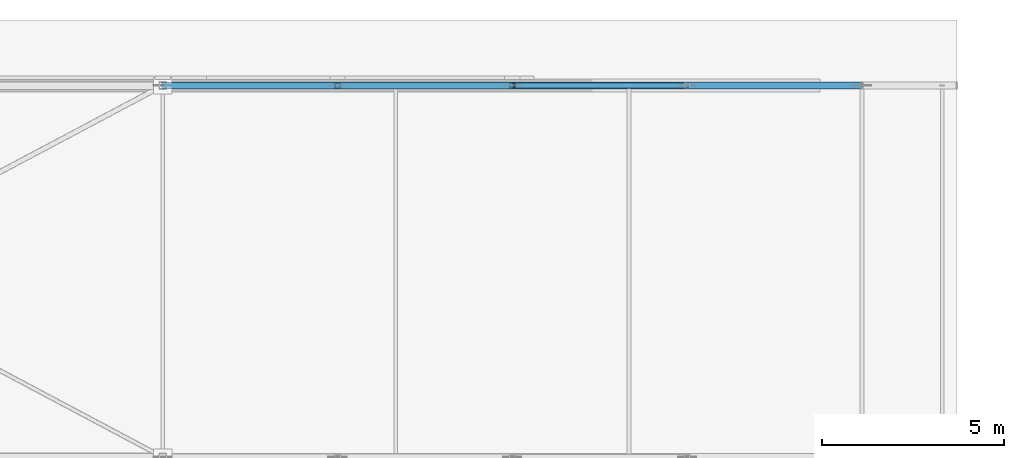
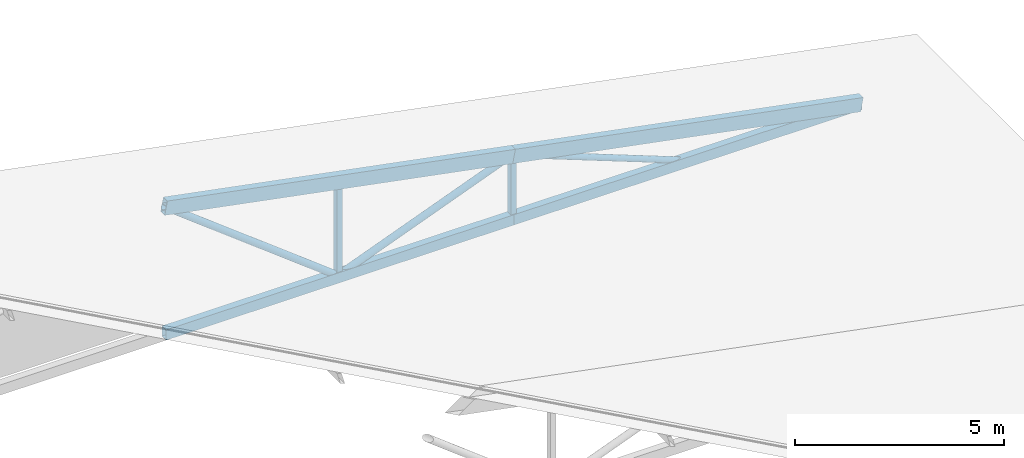
# One storey, part 78 of 200: 9 members.
"""IFC4 building model written with IfcOpenShell, lengths in metres."""

from ifc_helpers import new_model, si_unit, direction, frame, origin, origin_2d, place, context, subcontext, project, spatial, hollow_rectangle, hollow_circle, extrude, material, material_profile, profile_set, type_object, element, save


model = new_model("IFC4")

# Units and contexts
model_context = context("Model", 3, precision=1e-05, world=origin(), true_north=direction((0.0, 1.0)))
body_context = subcontext(model_context, "Body", "Model", "MODEL_VIEW")
ifc_project = project(units=[si_unit("LENGTHUNIT", "METRE"), si_unit("AREAUNIT", "SQUARE_METRE"), si_unit("VOLUMEUNIT", "CUBIC_METRE"), si_unit("PLANEANGLEUNIT", "RADIAN"), si_unit("MASSUNIT", "GRAM", prefix="KILO")], contexts=[model_context])

# Site, building, storey
site_placement = place(None, origin())
site = spatial("IfcSite", under=ifc_project, at=site_placement, CompositionType="ELEMENT")
building_placement = place(site_placement, origin())
building = spatial("IfcBuilding", under=site, at=building_placement, Name="Vondelvale Polytechnic", CompositionType="ELEMENT")
storey_placement = place(building_placement, frame((0.0, 0.0, 13.800048828125)))
storey = spatial("IfcBuildingStorey", under=building, at=storey_placement, Name="L03", CompositionType="ELEMENT", Elevation=13.800048828125)

# Members
ifc_material = material(Name="Steel C350L0 (fy = 350 MPa)", Category="steel")
ifc_material_profile_1 = material_profile(ifc_material, hollow_rectangle(XDim=0.199951171875, YDim=0.300048828125, WallThickness=0.008056640625, at=origin_2d()), Name="300x200x8.0RHS")
ifc_profile_set_1 = profile_set([ifc_material_profile_1], Name="Steel C350L0 (fy = 350 MPa)")
member_type_1 = type_object("IfcMemberType", Name="ROOF TRUSS BOT CHORD 300RHS", PredefinedType="CHORD", material=ifc_profile_set_1)
member_1_placement = place(storey_placement, frame((28.800048828125, 122.39990234375, -0.420166015625), z_axis=(1.0, 0.0, 0.0), x_axis=(0.0, 1.0, 0.0)))
element("IfcMember", 1, at=member_1_placement, inside=storey, type_object=member_type_1, Name="ROOF TRUSS TR-08 bottom chord 2", PredefinedType="CHORD", context=body_context, shape_type="SweptSolid", body=[
    extrude(hollow_rectangle(XDim=0.199951171875, YDim=0.300048828125, WallThickness=0.008056640625, at=origin_2d()), origin(), (0.0, 0.0, 1.0), 9.599853515625),
])
member_2_placement = place(storey_placement, frame((38.39990234375, 122.39990234375, -0.420166015625), z_axis=(1.0, 0.0, 0.0), x_axis=(0.0, 1.0, 0.0)))
element("IfcMember", 2, at=member_2_placement, inside=storey, type_object=member_type_1, Name="ROOF TRUSS TR-08 bottom chord 3", PredefinedType="CHORD", context=body_context, shape_type="SweptSolid", body=[
    extrude(hollow_rectangle(XDim=0.199951171875, YDim=0.300048828125, WallThickness=0.008056640625, at=origin_2d()), origin(), (0.0, 0.0, 1.0), 9.60009765625),
])
ifc_material_profile_2 = material_profile(ifc_material, hollow_circle(Radius=0.084228515625, WallThickness=0.00634765625, at=origin_2d()), Name="168.3x6.4CHS")
ifc_profile_set_2 = profile_set([ifc_material_profile_2], Name="Steel C350L0 (fy = 350 MPa)")
member_type_2 = type_object("IfcMemberType", Name="ROOF TRUSS BRACE 168CHS", PredefinedType="BRACE", material=ifc_profile_set_2)
member_3_placement = place(storey_placement, frame((38.39990234375, 122.39990234375, 1.429931640625), z_axis=(0.933089727442, 0.0, -0.359643657726), x_axis=(0.0, 1.0, 0.0)))
element("IfcMember", 3, at=member_3_placement, inside=storey, type_object=member_type_2, Name="ROOF TRUSS TR-08 web diagonal 8", PredefinedType="BRACE", context=body_context, shape_type="SweptSolid", body=[
    extrude(hollow_circle(Radius=0.084228515625, WallThickness=0.00634765625, at=origin_2d()), origin(), (0.0, 0.0, 1.0), 5.144287109375),
])
ifc_material_profile_3 = material_profile(ifc_material, hollow_circle(Radius=0.096923828125, WallThickness=0.00634765625, at=origin_2d()), Name="193.7x6.4CHS")
ifc_profile_set_3 = profile_set([ifc_material_profile_3], Name="Steel C350L0 (fy = 350 MPa)")
member_type_3 = type_object("IfcMemberType", Name="ROOF TRUSS BRACE 193CHS", PredefinedType="BRACE", material=ifc_profile_set_3)
member_4_placement = place(storey_placement, frame((28.800048828125, 122.39990234375, 3.280029296875), z_axis=(0.791997617605, 0.0, -0.610524179463), x_axis=(0.0, 1.0, 0.0)))
element("IfcMember", 4, at=member_4_placement, inside=storey, type_object=member_type_3, Name="ROOF TRUSS TR-08 web diagonal 6", PredefinedType="BRACE", context=body_context, shape_type="SweptSolid", body=[
    extrude(hollow_circle(Radius=0.096923828125, WallThickness=0.00634765625, at=origin_2d()), origin(), (0.0, 0.0, 1.0), 6.060791015625),
])
member_5_placement = place(storey_placement, frame((33.60009765625, 122.39990234375, -0.420166015625), z_axis=(0.933083588529, 0.0, 0.359659584632), x_axis=(0.0, 1.0, 0.0)))
element("IfcMember", 5, at=member_5_placement, inside=storey, type_object=member_type_3, Name="ROOF TRUSS TR-08 web diagonal 7", PredefinedType="BRACE", context=body_context, shape_type="SweptSolid", body=[
    extrude(hollow_circle(Radius=0.096923828125, WallThickness=0.00634765625, at=origin_2d()), origin(), (0.0, 0.0, 1.0), 5.14404296875),
])
ifc_material_profile_4 = material_profile(ifc_material, hollow_rectangle(XDim=0.14990234375, YDim=0.14990234375, WallThickness=0.006103515625, at=origin_2d()), Name="150x150x6.0SHS")
ifc_profile_set_4 = profile_set([ifc_material_profile_4], Name="Steel C350L0 (fy = 350 MPa)")
member_type_4 = type_object("IfcMemberType", Name="ROOF TRUSS POST 150SHS", PredefinedType="POST", material=ifc_profile_set_4)
member_6_placement = place(storey_placement, frame((33.60009765625, 122.39990234375, -0.420166015625), z_axis=(0.0, 0.0, 1.0), x_axis=(1.0, 0.0, 0.0)))
element("IfcMember", 6, at=member_6_placement, inside=storey, type_object=member_type_4, Name="ROOF TRUSS TR-08 vertical post 6", PredefinedType="POST", context=body_context, shape_type="SweptSolid", body=[
    extrude(hollow_rectangle(XDim=0.14990234375, YDim=0.14990234375, WallThickness=0.006103515625, at=origin_2d()), origin(), (0.0, 0.0, 1.0), 2.775146484375),
])
member_7_placement = place(storey_placement, frame((38.39990234375, 122.39990234375, -0.420166015625), z_axis=(0.0, 0.0, 1.0), x_axis=(1.0, 0.0, 0.0)))
element("IfcMember", 7, at=member_7_placement, inside=storey, type_object=member_type_4, Name="ROOF TRUSS TR-08 vertical post 7", PredefinedType="POST", context=body_context, shape_type="SweptSolid", body=[
    extrude(hollow_rectangle(XDim=0.14990234375, YDim=0.14990234375, WallThickness=0.006103515625, at=origin_2d()), origin(), (0.0, 0.0, 1.0), 1.85009765625),
])
ifc_material_profile_5 = material_profile(ifc_material, hollow_rectangle(XDim=0.199951171875, YDim=0.39990234375, WallThickness=0.010009765625, at=origin_2d()), Name="400x200x10.0RHS")
ifc_profile_set_5 = profile_set([ifc_material_profile_5], Name="Steel C350L0 (fy = 350 MPa)")
member_type_5 = type_object("IfcMemberType", Name="ROOF TRUSS TOP CHORD 400RHS", PredefinedType="CHORD", material=ifc_profile_set_5)
member_8_placement = place(storey_placement, frame((28.800048828125, 122.39990234375, 3.280029296875), z_axis=(0.981931024806, 0.0, -0.189239167518), x_axis=(0.0, 1.0, 0.0)))
element("IfcMember", 8, at=member_8_placement, inside=storey, type_object=member_type_5, Name="ROOF TRUSS TR-08 top chord 4", PredefinedType="CHORD", context=body_context, shape_type="SweptSolid", body=[
    extrude(hollow_rectangle(XDim=0.199951171875, YDim=0.39990234375, WallThickness=0.010009765625, at=origin_2d()), origin(), (0.0, 0.0, 1.0), 9.776611328125),
])
member_9_placement = place(storey_placement, frame((38.39990234375, 122.39990234375, 1.429931640625), z_axis=(0.981931919064, 0.0, -0.189234527304), x_axis=(0.0, 1.0, 0.0)))
element("IfcMember", 9, at=member_9_placement, inside=storey, type_object=member_type_5, Name="ROOF TRUSS TR-08 top chord 5", PredefinedType="CHORD", context=body_context, shape_type="SweptSolid", body=[
    extrude(hollow_rectangle(XDim=0.199951171875, YDim=0.39990234375, WallThickness=0.010009765625, at=origin_2d()), origin(), (0.0, 0.0, 1.0), 9.77685546875),
])

save(model, "model.ifc")
